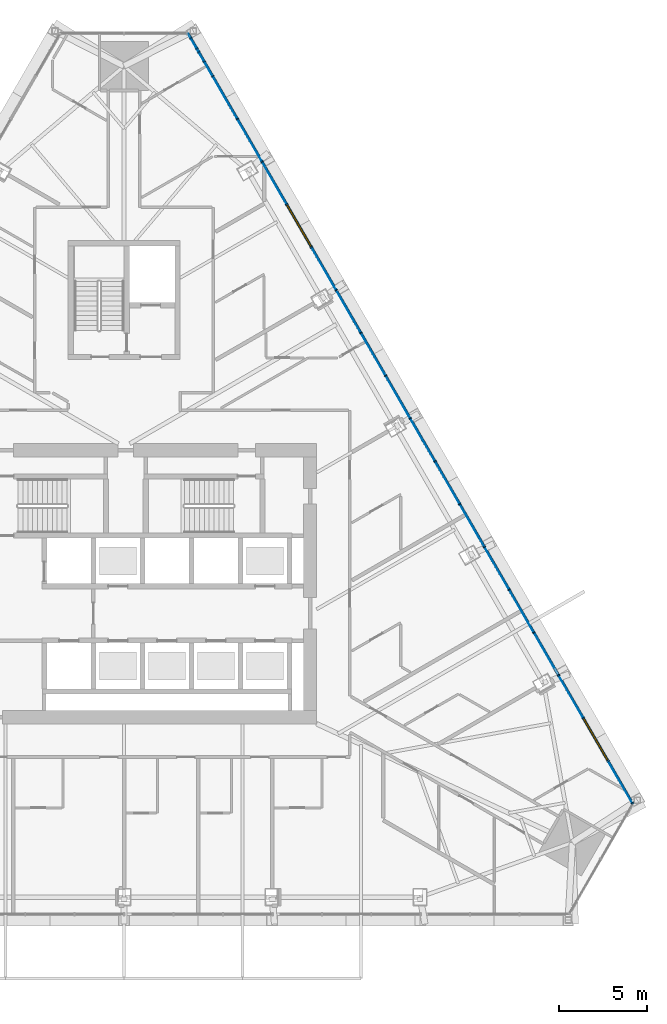
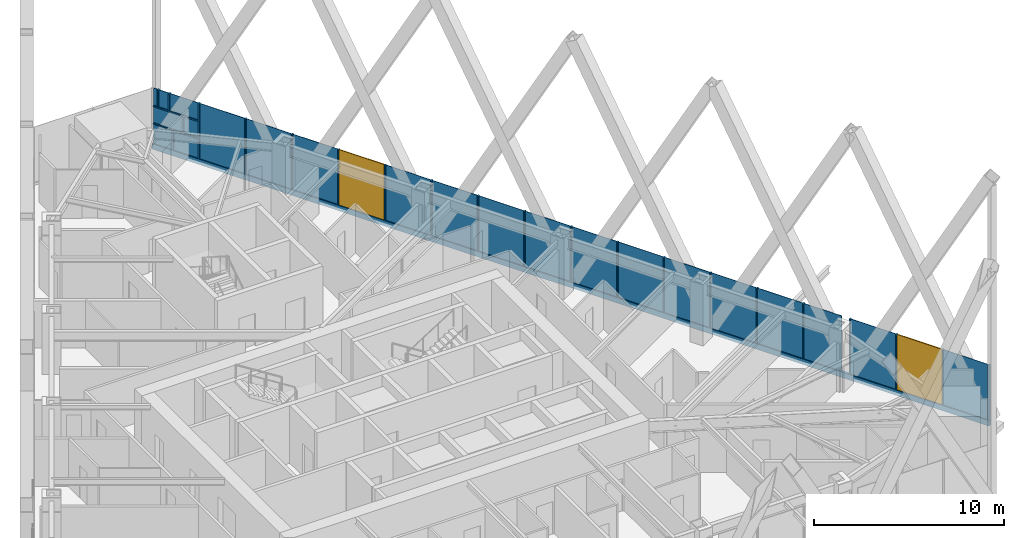
# One storey, part 8 of 19: 25 members, 22 plates, 2 windows, 2 openings, 1 element without a shape of its own.
"""IFC4 building model written with IfcOpenShell, lengths in metres."""

from ifc_helpers import new_model, si_unit, direction, frame, frame_2d, origin, origin_2d, place, context, subcontext, project, spatial, polyline, rectangle, outline, extrude, material, layer, layer_set, material_profile, profile_set, type_object, element, fill, aggregate, save


model = new_model("IFC4")

# Units and contexts
model_context = context("Model", 3, precision=1e-05, world=origin(), true_north=direction((0.0, 1.0)))
body_context = subcontext(model_context, "Body", "Model", "MODEL_VIEW")
ifc_project = project(units=[si_unit("LENGTHUNIT", "METRE"), si_unit("AREAUNIT", "SQUARE_METRE"), si_unit("VOLUMEUNIT", "CUBIC_METRE"), si_unit("PLANEANGLEUNIT", "RADIAN"), si_unit("MASSUNIT", "GRAM", prefix="KILO")], contexts=[model_context])

# Site, building, storey
site_placement = place(None, origin())
site = spatial("IfcSite", under=ifc_project, at=site_placement, CompositionType="ELEMENT")
building_placement = place(site_placement, origin())
building = spatial("IfcBuilding", under=site, at=building_placement, Name="Firuza Gate Tower and Library", CompositionType="ELEMENT")
storey_placement = place(building_placement, frame((0.0, 0.0, 218.199951171875)))
storey = spatial("IfcBuildingStorey", under=building, at=storey_placement, Name="L51", CompositionType="ELEMENT", Elevation=218.199951171875)

# Curtain wall, openings, members, plates, windows
ifc_material_1 = material(Name="Aluminium 6063-T6", Category="aluminium")
ifc_layer_1 = layer(ifc_material_1, 0.14990234375)
ifc_layer_set_1 = layer_set([ifc_layer_1], Name="Unitised curtain wall, hotel")
curtain_wall_type = type_object("IfcCurtainWallType", Name="Unitised curtain wall, hotel", PredefinedType="NOTDEFINED", material=ifc_layer_set_1)
curtain_wall_placement = place(storey_placement, origin())
curtain_wall = element("IfcCurtainWall", 1, at=curtain_wall_placement, inside=storey, type_object=curtain_wall_type, Name="CW2 L51 E face", PredefinedType="NOTDEFINED")
opening_1_placement = place(curtain_wall_placement, frame((102.621826171875, 64.91259765625, 0.150146484375), z_axis=(0.0, 0.0, 1.0), x_axis=(-0.5, 0.866025, 0.0)))
opening_1 = element("IfcOpeningElement", 2, at=opening_1_placement, cuts=curtain_wall, Name="Opening WD1-001", PredefinedType="OPENING", context=body_context, shape_type="SweptSolid", body=[
    extrude(rectangle(XDim=2.743408203125, YDim=3.550048828125, at=frame_2d((1.37158203125, 1.77490234375))), frame((0.0, 0.0849609375, 0.0), z_axis=(0.0, -1.0, 0.0), x_axis=(1.0, 0.0, 0.0)), (0.0, 0.0, 1.0), 0.169921875),
])
opening_2_placement = place(curtain_wall_placement, frame((85.681640625, 94.25390625, 0.150146484375), z_axis=(0.0, 0.0, 1.0), x_axis=(-0.5, 0.866025, 0.0)))
opening_2 = element("IfcOpeningElement", 3, at=opening_2_placement, cuts=curtain_wall, Name="Opening WD1-002", PredefinedType="OPENING", context=body_context, shape_type="SweptSolid", body=[
    extrude(rectangle(XDim=2.743408203125, YDim=3.550048828125, at=frame_2d((1.37158203125, 1.77490234375))), frame((0.0, 0.0849609375, 0.0), z_axis=(0.0, -1.0, 0.0), x_axis=(1.0, 0.0, 0.0)), (0.0, 0.0, 1.0), 0.169921875),
])
ifc_material_2 = material(Name="Aluminium 6063-T6", Category="aluminium")
ifc_material_profile_1 = material_profile(ifc_material_2, rectangle(XDim=0.14990234375, YDim=0.080078125, at=origin_2d()))
ifc_profile_set_1 = profile_set([ifc_material_profile_1], Name="Aluminium 6063-T6")
member_type_1 = type_object("IfcMemberType", Name="Curtain wall mullion 80x150", PredefinedType="MULLION", material=ifc_profile_set_1)
member_1_placement = place(storey_placement, frame((104.03369140625, 62.467529296875, 0.150146484375), z_axis=(0.0, 0.0, 1.0), x_axis=(-0.866025403784, -0.5, 0.0)))
member_1 = element("IfcMember", 4, at=member_1_placement, type_object=member_type_1, Name="Mullion", PredefinedType="MULLION", context=body_context, shape_type="SweptSolid", body=[
    extrude(rectangle(XDim=0.14990234375, YDim=0.080078125, at=origin_2d()), origin(), (0.0, 0.0, 1.0), 3.5498046875),
])
member_2_placement = place(storey_placement, frame((102.641845703125, 64.8779296875, 0.150146484375), z_axis=(0.0, 0.0, 1.0), x_axis=(-0.866025403784, -0.5, 0.0)))
member_2 = element("IfcMember", 5, at=member_2_placement, type_object=member_type_1, Name="Mullion", PredefinedType="MULLION", context=body_context, shape_type="SweptSolid", body=[
    extrude(rectangle(XDim=0.14990234375, YDim=0.080078125, at=origin_2d()), origin(), (0.0, 0.0, 1.0), 3.5498046875),
])
member_3_placement = place(storey_placement, frame((101.230224609375, 67.322998046875, 0.150146484375), z_axis=(0.0, 0.0, 1.0), x_axis=(-0.866025403784, -0.5, 0.0)))
member_3 = element("IfcMember", 6, at=member_3_placement, type_object=member_type_1, Name="Mullion", PredefinedType="MULLION", context=body_context, shape_type="SweptSolid", body=[
    extrude(rectangle(XDim=0.14990234375, YDim=0.080078125, at=origin_2d()), origin(), (0.0, 0.0, 1.0), 3.5498046875),
])
member_4_placement = place(storey_placement, frame((99.818603515625, 69.76806640625, 0.150146484375), z_axis=(0.0, 0.0, 1.0), x_axis=(-0.866025403784, -0.5, 0.0)))
member_4 = element("IfcMember", 7, at=member_4_placement, type_object=member_type_1, Name="Mullion", PredefinedType="MULLION", context=body_context, shape_type="SweptSolid", body=[
    extrude(rectangle(XDim=0.14990234375, YDim=0.080078125, at=origin_2d()), origin(), (0.0, 0.0, 1.0), 3.5498046875),
])
member_5_placement = place(storey_placement, frame((98.406982421875, 72.213134765625, 0.150146484375), z_axis=(0.0, 0.0, 1.0), x_axis=(-0.866025403784, -0.5, 0.0)))
member_5 = element("IfcMember", 8, at=member_5_placement, type_object=member_type_1, Name="Mullion", PredefinedType="MULLION", context=body_context, shape_type="SweptSolid", body=[
    extrude(rectangle(XDim=0.14990234375, YDim=0.080078125, at=origin_2d()), origin(), (0.0, 0.0, 1.0), 3.5498046875),
])
member_6_placement = place(storey_placement, frame((96.9951171875, 74.658447265625, 0.150146484375), z_axis=(0.0, 0.0, 1.0), x_axis=(-0.866025403784, -0.5, 0.0)))
member_6 = element("IfcMember", 9, at=member_6_placement, type_object=member_type_1, Name="Mullion", PredefinedType="MULLION", context=body_context, shape_type="SweptSolid", body=[
    extrude(rectangle(XDim=0.14990234375, YDim=0.080078125, at=origin_2d()), origin(), (0.0, 0.0, 1.0), 3.5498046875),
])
member_7_placement = place(storey_placement, frame((95.58349609375, 77.103515625, 0.150146484375), z_axis=(0.0, 0.0, 1.0), x_axis=(-0.866025403784, -0.5, 0.0)))
member_7 = element("IfcMember", 10, at=member_7_placement, type_object=member_type_1, Name="Mullion", PredefinedType="MULLION", context=body_context, shape_type="SweptSolid", body=[
    extrude(rectangle(XDim=0.14990234375, YDim=0.080078125, at=origin_2d()), origin(), (0.0, 0.0, 1.0), 3.5498046875),
])
member_8_placement = place(storey_placement, frame((94.171875, 79.548583984375, 0.150146484375), z_axis=(0.0, 0.0, 1.0), x_axis=(-0.866025403784, -0.5, 0.0)))
member_8 = element("IfcMember", 11, at=member_8_placement, type_object=member_type_1, Name="Mullion", PredefinedType="MULLION", context=body_context, shape_type="SweptSolid", body=[
    extrude(rectangle(XDim=0.14990234375, YDim=0.080078125, at=origin_2d()), origin(), (0.0, 0.0, 1.0), 3.5498046875),
])
member_9_placement = place(storey_placement, frame((92.76025390625, 81.99365234375, 0.150146484375), z_axis=(0.0, 0.0, 1.0), x_axis=(-0.866025403784, -0.5, 0.0)))
member_9 = element("IfcMember", 12, at=member_9_placement, type_object=member_type_1, Name="Mullion", PredefinedType="MULLION", context=body_context, shape_type="SweptSolid", body=[
    extrude(rectangle(XDim=0.14990234375, YDim=0.080078125, at=origin_2d()), origin(), (0.0, 0.0, 1.0), 3.5498046875),
])
member_10_placement = place(storey_placement, frame((91.348388671875, 84.438720703125, 0.150146484375), z_axis=(0.0, 0.0, 1.0), x_axis=(-0.866025403784, -0.5, 0.0)))
member_10 = element("IfcMember", 13, at=member_10_placement, type_object=member_type_1, Name="Mullion", PredefinedType="MULLION", context=body_context, shape_type="SweptSolid", body=[
    extrude(rectangle(XDim=0.14990234375, YDim=0.080078125, at=origin_2d()), origin(), (0.0, 0.0, 1.0), 3.5498046875),
])
member_11_placement = place(storey_placement, frame((89.936767578125, 86.8837890625, 0.150146484375), z_axis=(0.0, 0.0, 1.0), x_axis=(-0.866025403784, -0.5, 0.0)))
member_11 = element("IfcMember", 14, at=member_11_placement, type_object=member_type_1, Name="Mullion", PredefinedType="MULLION", context=body_context, shape_type="SweptSolid", body=[
    extrude(rectangle(XDim=0.14990234375, YDim=0.080078125, at=origin_2d()), origin(), (0.0, 0.0, 1.0), 3.5498046875),
])
member_12_placement = place(storey_placement, frame((88.525146484375, 89.3291015625, 0.150146484375), z_axis=(0.0, 0.0, 1.0), x_axis=(-0.866025403784, -0.5, 0.0)))
member_12 = element("IfcMember", 15, at=member_12_placement, type_object=member_type_1, Name="Mullion", PredefinedType="MULLION", context=body_context, shape_type="SweptSolid", body=[
    extrude(rectangle(XDim=0.14990234375, YDim=0.080078125, at=origin_2d()), origin(), (0.0, 0.0, 1.0), 3.5498046875),
])
member_13_placement = place(storey_placement, frame((87.11328125, 91.774169921875, 0.150146484375), z_axis=(0.0, 0.0, 1.0), x_axis=(-0.866025403784, -0.5, 0.0)))
member_13 = element("IfcMember", 16, at=member_13_placement, type_object=member_type_1, Name="Mullion", PredefinedType="MULLION", context=body_context, shape_type="SweptSolid", body=[
    extrude(rectangle(XDim=0.14990234375, YDim=0.080078125, at=origin_2d()), origin(), (0.0, 0.0, 1.0), 3.5498046875),
])
member_14_placement = place(storey_placement, frame((85.70166015625, 94.21923828125, 0.150146484375), z_axis=(0.0, 0.0, 1.0), x_axis=(-0.866025403784, -0.5, 0.0)))
member_14 = element("IfcMember", 17, at=member_14_placement, type_object=member_type_1, Name="Mullion", PredefinedType="MULLION", context=body_context, shape_type="SweptSolid", body=[
    extrude(rectangle(XDim=0.14990234375, YDim=0.080078125, at=origin_2d()), origin(), (0.0, 0.0, 1.0), 3.5498046875),
])
member_15_placement = place(storey_placement, frame((84.2900390625, 96.664306640625, 0.150146484375), z_axis=(0.0, 0.0, 1.0), x_axis=(-0.866025403784, -0.5, 0.0)))
member_15 = element("IfcMember", 18, at=member_15_placement, type_object=member_type_1, Name="Mullion", PredefinedType="MULLION", context=body_context, shape_type="SweptSolid", body=[
    extrude(rectangle(XDim=0.14990234375, YDim=0.080078125, at=origin_2d()), origin(), (0.0, 0.0, 1.0), 3.5498046875),
])
member_16_placement = place(storey_placement, frame((82.87841796875, 99.109375, 0.150146484375), z_axis=(0.0, 0.0, 1.0), x_axis=(-0.866025403784, -0.5, 0.0)))
member_16 = element("IfcMember", 19, at=member_16_placement, type_object=member_type_1, Name="Mullion", PredefinedType="MULLION", context=body_context, shape_type="SweptSolid", body=[
    extrude(rectangle(XDim=0.14990234375, YDim=0.080078125, at=origin_2d()), origin(), (0.0, 0.0, 1.0), 3.5498046875),
])
member_17_placement = place(storey_placement, frame((81.466552734375, 101.554443359375, 0.150146484375), z_axis=(0.0, 0.0, 1.0), x_axis=(-0.866025403784, -0.5, 0.0)))
member_17 = element("IfcMember", 20, at=member_17_placement, type_object=member_type_1, Name="Mullion", PredefinedType="MULLION", context=body_context, shape_type="SweptSolid", body=[
    extrude(rectangle(XDim=0.14990234375, YDim=0.080078125, at=origin_2d()), origin(), (0.0, 0.0, 1.0), 3.5498046875),
])
member_18_placement = place(storey_placement, frame((80.054931640625, 103.999755859375, 0.150146484375), z_axis=(0.0, 0.0, 1.0), x_axis=(-0.866025403784, -0.5, 0.0)))
member_18 = element("IfcMember", 21, at=member_18_placement, type_object=member_type_1, Name="Mullion", PredefinedType="MULLION", context=body_context, shape_type="SweptSolid", body=[
    extrude(rectangle(XDim=0.14990234375, YDim=0.080078125, at=origin_2d()), origin(), (0.0, 0.0, 1.0), 3.5498046875),
])
member_19_placement = place(storey_placement, frame((79.2685546875, 105.361572265625, 0.150146484375), z_axis=(0.0, 0.0, 1.0), x_axis=(-0.866025403784, -0.5, 0.0)))
member_19 = element("IfcMember", 22, at=member_19_placement, type_object=member_type_1, Name="Mullion", PredefinedType="MULLION", context=body_context, shape_type="SweptSolid", body=[
    extrude(rectangle(XDim=0.14990234375, YDim=0.080078125, at=origin_2d()), origin(), (0.0, 0.0, 1.0), 1.260009765625),
])
member_20_placement = place(storey_placement, frame((79.573486328125, 104.83349609375, 1.489990234375), z_axis=(0.0, 0.0, 1.0), x_axis=(-0.866025403784, -0.5, 0.0)))
member_20 = element("IfcMember", 23, at=member_20_placement, type_object=member_type_1, Name="Mullion", PredefinedType="MULLION", context=body_context, shape_type="SweptSolid", body=[
    extrude(rectangle(XDim=0.14990234375, YDim=0.080078125, at=origin_2d()), origin(), (0.0, 0.0, 1.0), 1.045166015625),
])
member_21_placement = place(storey_placement, frame((79.152099609375, 105.5634765625, 2.614990234375), z_axis=(0.0, 0.0, 1.0), x_axis=(-0.866025403784, -0.5, 0.0)))
member_21 = element("IfcMember", 24, at=member_21_placement, type_object=member_type_1, Name="Mullion", PredefinedType="MULLION", context=body_context, shape_type="SweptSolid", body=[
    extrude(rectangle(XDim=0.14990234375, YDim=0.080078125, at=origin_2d()), origin(), (0.0, 0.0, 1.0), 1.0849609375),
])
member_22_placement = place(storey_placement, frame((78.808837890625, 106.157958984375, 2.614990234375), z_axis=(0.0, 0.0, 1.0), x_axis=(-0.866025403784, -0.5, 0.0)))
member_22 = element("IfcMember", 25, at=member_22_placement, type_object=member_type_1, Name="Mullion", PredefinedType="MULLION", context=body_context, shape_type="SweptSolid", body=[
    extrude(rectangle(XDim=0.14990234375, YDim=0.080078125, at=origin_2d()), origin(), (0.0, 0.0, 1.0), 1.0849609375),
])
ifc_material_3 = material(Name="Aluminium 6063-T6", Category="aluminium")
ifc_material_profile_2 = material_profile(ifc_material_3, rectangle(XDim=0.14990234375, YDim=0.35009765625, at=origin_2d()))
ifc_profile_set_2 = profile_set([ifc_material_profile_2], Name="Aluminium 6063-T6")
member_type_2 = type_object("IfcMemberType", Name="Curtain wall transom 350x150", PredefinedType="USERDEFINED", material=ifc_profile_set_2)
member_23_placement = place(storey_placement, frame((104.0537109375, 62.432861328125, -0.02490234375), z_axis=(-0.500001206715, 0.866024707086, 0.0), x_axis=(-0.866024707086, -0.500001206715, 0.0)))
member_23 = element("IfcMember", 26, at=member_23_placement, type_object=member_type_2, Name="Transom", ObjectType="TRANSOM", PredefinedType="USERDEFINED", context=body_context, shape_type="SweptSolid", body=[
    extrude(rectangle(XDim=0.14990234375, YDim=0.35009765625, at=origin_2d()), origin(), (0.0, 0.0, 1.0), 50.820556640625),
])
ifc_material_4 = material(Name="Aluminium 6063-T6", Category="aluminium")
ifc_material_profile_3 = material_profile(ifc_material_4, rectangle(XDim=0.14990234375, YDim=0.080078125, at=origin_2d()))
ifc_profile_set_3 = profile_set([ifc_material_profile_3], Name="Aluminium 6063-T6")
member_type_3 = type_object("IfcMemberType", Name="Curtain wall transom 80x150", PredefinedType="USERDEFINED", material=ifc_profile_set_3)
member_24_placement = place(storey_placement, frame((80.034912109375, 104.0341796875, 1.449951171875), z_axis=(-0.499948418923, 0.866055182085, 0.0), x_axis=(-0.866055182085, -0.499948418923, 0.0)))
member_24 = element("IfcMember", 27, at=member_24_placement, type_object=member_type_3, Name="Transom", ObjectType="TRANSOM", PredefinedType="USERDEFINED", context=body_context, shape_type="SweptSolid", body=[
    extrude(rectangle(XDim=0.14990234375, YDim=0.080078125, at=origin_2d()), origin(), (0.0, 0.0, 1.0), 2.743408203125),
])
member_25_placement = place(storey_placement, frame((80.034912109375, 104.0341796875, 2.574951171875), z_axis=(-0.499948418923, 0.866055182085, 0.0), x_axis=(-0.866055182085, -0.499948418923, 0.0)))
member_25 = element("IfcMember", 28, at=member_25_placement, type_object=member_type_3, Name="Transom", ObjectType="TRANSOM", PredefinedType="USERDEFINED", context=body_context, shape_type="SweptSolid", body=[
    extrude(rectangle(XDim=0.14990234375, YDim=0.080078125, at=origin_2d()), origin(), (0.0, 0.0, 1.0), 2.743408203125),
])
ifc_material_5 = material(Name="Fritted glass", Category="glass")
ifc_layer_2 = layer(ifc_material_5, 0.030029296875)
ifc_layer_set_2 = layer_set([ifc_layer_2], Name="Fritted glass unit, hotel")
plate_type_1 = type_object("IfcPlateType", Name="Fritted glass unit, hotel", PredefinedType="CURTAIN_PANEL", material=ifc_layer_set_2)
plate_1_placement = place(storey_placement, frame((98.39990234375, 72.25537109375, 0.150146484375), z_axis=(0.86599439933, 0.500053697445, 0.0), x_axis=(-0.500053697445, 0.86599439933, 0.0)))
plate_1 = element("IfcPlate", 29, at=plate_1_placement, type_object=plate_type_1, Name="Glass unit", PredefinedType="CURTAIN_PANEL", context=body_context, shape_type="SweptSolid", body=[
    extrude(outline(polyline([(0.0, 0.0), (2.7433577211492617, 0.0), (2.7433577211492617, 3.5498046875), (0.0, 3.5498046875), (0.0, 0.0)])), origin(), (0.0, 0.0, -1.0), 0.030029296875),
])
plate_2_placement = place(storey_placement, frame((94.164794921875, 79.5908203125, 0.150146484375), z_axis=(0.866032936488, 0.499986952748, 0.0), x_axis=(-0.499986952748, 0.866032936488, 0.0)))
plate_2 = element("IfcPlate", 30, at=plate_2_placement, type_object=plate_type_1, Name="Glass unit", PredefinedType="CURTAIN_PANEL", context=body_context, shape_type="SweptSolid", body=[
    extrude(outline(polyline([(0.0, 0.0), (2.7432356458743987, 0.0), (2.7432356458743987, 3.5498046875), (0.0, 3.5498046875), (0.0, 0.0)])), origin(), (0.0, 0.0, -1.0), 0.030029296875),
])
plate_3_placement = place(storey_placement, frame((89.9296875, 86.926025390625, 0.150146484375), z_axis=(0.866032936488, 0.499986952748, 0.0), x_axis=(-0.499986952748, 0.866032936488, 0.0)))
plate_3 = element("IfcPlate", 31, at=plate_3_placement, type_object=plate_type_1, Name="Glass unit", PredefinedType="CURTAIN_PANEL", context=body_context, shape_type="SweptSolid", body=[
    extrude(outline(polyline([(0.0, 0.0), (2.7432356458743987, 0.0), (2.7432356458743987, 3.5498046875), (0.0, 3.5498046875), (0.0, 0.0)])), origin(), (0.0, 0.0, -1.0), 0.030029296875),
])
plate_4_placement = place(storey_placement, frame((81.459716796875, 101.5966796875, 0.150146484375), z_axis=(0.86599439933, 0.500053697445, 0.0), x_axis=(-0.500053697445, 0.86599439933, 0.0)))
plate_4 = element("IfcPlate", 32, at=plate_4_placement, type_object=plate_type_1, Name="Glass unit", PredefinedType="CURTAIN_PANEL", context=body_context, shape_type="SweptSolid", body=[
    extrude(outline(polyline([(0.0, 0.0), (2.7433577211492617, 0.0), (2.7433577211492617, 3.5498046875), (0.0, 3.5498046875), (0.0, 0.0)])), origin(), (0.0, 0.0, -1.0), 0.030029296875),
])
plate_5_placement = place(storey_placement, frame((80.048095703125, 104.041748046875, 0.150146484375), z_axis=(0.865959514265, 0.500114106633, 0.0), x_axis=(-0.500114106633, 0.865959514265, 0.0)))
plate_5 = element("IfcPlate", 33, at=plate_5_placement, type_object=plate_type_1, Name="Glass unit", PredefinedType="CURTAIN_PANEL", context=body_context, shape_type="SweptSolid", body=[
    extrude(outline(polyline([(0.0, 0.0), (1.4928233804000803, 0.0), (1.4928233804000803, 1.260009765625), (0.0, 1.260009765625), (0.0, 0.0)])), origin(), (0.0, 0.0, -1.0), 0.030029296875),
])
plate_6_placement = place(storey_placement, frame((80.048095703125, 104.041748046875, 1.489990234375), z_axis=(0.865936922628, 0.500153222552, 0.0), x_axis=(-0.500153222552, 0.865936922628, 0.0)))
plate_6 = element("IfcPlate", 34, at=plate_6_placement, type_object=plate_type_1, Name="Glass unit", PredefinedType="CURTAIN_PANEL", context=body_context, shape_type="SweptSolid", body=[
    extrude(outline(polyline([(0.0, 0.0), (0.883030180973678, 0.0), (0.883030180973678, 1.045166015625), (0.0, 1.045166015625), (0.0, 0.0)])), origin(), (0.0, 0.0, -1.0), 0.030029296875),
])
plate_7_placement = place(storey_placement, frame((79.14501953125, 105.605712890625, 2.614990234375), z_axis=(0.866004557827, 0.500036104519, 0.0), x_axis=(-0.500036104519, 0.866004557827, 0.0)))
plate_7 = element("IfcPlate", 35, at=plate_7_placement, type_object=plate_type_1, Name="Glass unit", PredefinedType="CURTAIN_PANEL", context=body_context, shape_type="SweptSolid", body=[
    extrude(outline(polyline([(0.0, 0.0), (0.6064015248288281, 0.0), (0.6064015248288281, 1.0849609375), (0.0, 1.0849609375), (0.0, 0.0)])), origin(), (0.0, 0.0, -1.0), 0.030029296875),
])
ifc_material_6 = material(Name="Glazed ceramic tile")
ifc_layer_3 = layer(ifc_material_6, 0.030029296875)
ifc_layer_set_3 = layer_set([ifc_layer_3], Name="Opaque ceramic panel, hotel")
plate_type_2 = type_object("IfcPlateType", Name="Opaque ceramic panel, hotel", PredefinedType="CURTAIN_PANEL", material=ifc_layer_set_3)
plate_8_placement = place(storey_placement, frame((104.046630859375, 62.474853515625, 0.150146484375), z_axis=(0.866016649877, 0.500015161905, 0.0), x_axis=(-0.500015161905, 0.866016649877, 0.0)))
plate_8 = element("IfcPlate", 36, at=plate_8_placement, type_object=plate_type_2, Name="Opaque ceramic panel", PredefinedType="CURTAIN_PANEL", context=body_context, shape_type="SweptSolid", body=[
    extrude(outline(polyline([(0.0, 0.0), (2.7435691482793962, 0.0), (2.7435691482793962, 3.5498046875), (0.0, 3.5498046875), (0.0, 0.0)])), origin(), (0.0, 0.0, -1.0), 0.030029296875),
])
plate_9_placement = place(storey_placement, frame((101.22314453125, 67.365234375, 0.150146484375), z_axis=(0.866032936488, 0.499986952748, 0.0), x_axis=(-0.499986952748, 0.866032936488, 0.0)))
plate_9 = element("IfcPlate", 37, at=plate_9_placement, type_object=plate_type_2, Name="Opaque ceramic panel", PredefinedType="CURTAIN_PANEL", context=body_context, shape_type="SweptSolid", body=[
    extrude(outline(polyline([(0.0, 0.0), (2.7432356458743987, 0.0), (2.7432356458743987, 3.5498046875), (0.0, 3.5498046875), (0.0, 0.0)])), origin(), (0.0, 0.0, -1.0), 0.030029296875),
])
plate_10_placement = place(storey_placement, frame((99.573486328125, 70.222412109375, 0.150146484375), z_axis=(0.866054693437, 0.499949265402, 0.0), x_axis=(-0.499949265402, 0.866054693437, 0.0)))
plate_10 = element("IfcPlate", 38, at=plate_10_placement, type_object=plate_type_2, Name="Opaque ceramic panel", PredefinedType="CURTAIN_PANEL", context=body_context, shape_type="SweptSolid", body=[
    extrude(outline(polyline([(0.0, 0.0), (2.2673199068784404, 0.0), (2.2673199068784404, 3.5498046875), (0.0, 3.5498046875), (0.0, 0.0)])), origin(), (0.0, 0.0, -1.0), 0.030029296875),
])
plate_11_placement = place(storey_placement, frame((96.98828125, 74.700439453125, 0.150146484375), z_axis=(0.866016649877, 0.500015161905, 0.0), x_axis=(-0.500015161905, 0.866016649877, 0.0)))
plate_11 = element("IfcPlate", 39, at=plate_11_placement, type_object=plate_type_2, Name="Opaque ceramic panel", PredefinedType="CURTAIN_PANEL", context=body_context, shape_type="SweptSolid", body=[
    extrude(outline(polyline([(0.0, 0.0), (2.7435691482793962, 0.0), (2.7435691482793962, 3.5498046875), (0.0, 3.5498046875), (0.0, 0.0)])), origin(), (0.0, 0.0, -1.0), 0.030029296875),
])
plate_12_placement = place(storey_placement, frame((95.576416015625, 77.1455078125, 0.150146484375), z_axis=(0.866055182085, 0.499948418923, 0.0), x_axis=(-0.499948418923, 0.866055182085, 0.0)))
plate_12 = element("IfcPlate", 40, at=plate_12_placement, type_object=plate_type_2, Name="Opaque ceramic panel", PredefinedType="CURTAIN_PANEL", context=body_context, shape_type="SweptSolid", body=[
    extrude(outline(polyline([(0.0, 0.0), (2.7434470824124153, 0.0), (2.7434470824124153, 3.5498046875), (0.0, 3.5498046875), (0.0, 0.0)])), origin(), (0.0, 0.0, -1.0), 0.030029296875),
])
plate_13_placement = place(storey_placement, frame((92.753173828125, 82.035888671875, 0.150146484375), z_axis=(0.86599439933, 0.500053697445, 0.0), x_axis=(-0.500053697445, 0.86599439933, 0.0)))
plate_13 = element("IfcPlate", 41, at=plate_13_placement, type_object=plate_type_2, Name="Opaque ceramic panel", PredefinedType="CURTAIN_PANEL", context=body_context, shape_type="SweptSolid", body=[
    extrude(outline(polyline([(0.0, 0.0), (2.7433577211492617, 0.0), (2.7433577211492617, 3.5498046875), (0.0, 3.5498046875), (0.0, 0.0)])), origin(), (0.0, 0.0, -1.0), 0.030029296875),
])
plate_14_placement = place(storey_placement, frame((91.341552734375, 84.48095703125, 0.150146484375), z_axis=(0.86599439933, 0.500053697445, 0.0), x_axis=(-0.500053697445, 0.86599439933, 0.0)))
plate_14 = element("IfcPlate", 42, at=plate_14_placement, type_object=plate_type_2, Name="Opaque ceramic panel", PredefinedType="CURTAIN_PANEL", context=body_context, shape_type="SweptSolid", body=[
    extrude(outline(polyline([(0.0, 0.0), (2.7433577211492617, 0.0), (2.7433577211492617, 3.5498046875), (0.0, 3.5498046875), (0.0, 0.0)])), origin(), (0.0, 0.0, -1.0), 0.030029296875),
])
plate_15_placement = place(storey_placement, frame((88.51806640625, 89.37109375, 0.150146484375), z_axis=(0.866055182085, 0.499948418923, 0.0), x_axis=(-0.499948418923, 0.866055182085, 0.0)))
plate_15 = element("IfcPlate", 43, at=plate_15_placement, type_object=plate_type_2, Name="Opaque ceramic panel", PredefinedType="CURTAIN_PANEL", context=body_context, shape_type="SweptSolid", body=[
    extrude(outline(polyline([(0.0, 0.0), (2.7434470824124153, 0.0), (2.7434470824124153, 3.5498046875), (0.0, 3.5498046875), (0.0, 0.0)])), origin(), (0.0, 0.0, -1.0), 0.030029296875),
])
plate_16_placement = place(storey_placement, frame((87.1064453125, 91.816162109375, 0.150146484375), z_axis=(0.866016649877, 0.500015161905, 0.0), x_axis=(-0.500015161905, 0.866016649877, 0.0)))
plate_16 = element("IfcPlate", 44, at=plate_16_placement, type_object=plate_type_2, Name="Opaque ceramic panel", PredefinedType="CURTAIN_PANEL", context=body_context, shape_type="SweptSolid", body=[
    extrude(outline(polyline([(0.0, 0.0), (2.7435691482793962, 0.0), (2.7435691482793962, 3.5498046875), (0.0, 3.5498046875), (0.0, 0.0)])), origin(), (0.0, 0.0, -1.0), 0.030029296875),
])
plate_17_placement = place(storey_placement, frame((84.282958984375, 96.70654296875, 0.150146484375), z_axis=(0.866032936488, 0.499986952748, 0.0), x_axis=(-0.499986952748, 0.866032936488, 0.0)))
plate_17 = element("IfcPlate", 45, at=plate_17_placement, type_object=plate_type_2, Name="Opaque ceramic panel", PredefinedType="CURTAIN_PANEL", context=body_context, shape_type="SweptSolid", body=[
    extrude(outline(polyline([(0.0, 0.0), (2.7432356458743987, 0.0), (2.7432356458743987, 3.5498046875), (0.0, 3.5498046875), (0.0, 0.0)])), origin(), (0.0, 0.0, -1.0), 0.030029296875),
])
plate_18_placement = place(storey_placement, frame((82.871337890625, 99.151611328125, 0.150146484375), z_axis=(0.866032936488, 0.499986952748, 0.0), x_axis=(-0.499986952748, 0.866032936488, 0.0)))
plate_18 = element("IfcPlate", 46, at=plate_18_placement, type_object=plate_type_2, Name="Opaque ceramic panel", PredefinedType="CURTAIN_PANEL", context=body_context, shape_type="SweptSolid", body=[
    extrude(outline(polyline([(0.0, 0.0), (2.7432356458743987, 0.0), (2.7432356458743987, 3.5498046875), (0.0, 3.5498046875), (0.0, 0.0)])), origin(), (0.0, 0.0, -1.0), 0.030029296875),
])
plate_19_placement = place(storey_placement, frame((79.26171875, 105.40380859375, 0.150146484375), z_axis=(0.865949381454, 0.500131651427, 0.0), x_axis=(-0.500131651427, 0.865949381454, 0.0)))
plate_19 = element("IfcPlate", 47, at=plate_19_placement, type_object=plate_type_2, Name="Opaque ceramic panel", PredefinedType="CURTAIN_PANEL", context=body_context, shape_type="SweptSolid", body=[
    extrude(outline(polyline([(0.0, 0.0), (1.1705902177538479, 0.0), (1.1705902177538479, 1.260009765625), (0.0, 1.260009765625), (0.0, 0.0)])), origin(), (0.0, 0.0, -1.0), 0.030029296875),
])
plate_20_placement = place(storey_placement, frame((79.56640625, 104.875732421875, 1.489990234375), z_axis=(0.866023441189, 0.500003399299, 0.0), x_axis=(-0.500003399299, 0.866023441189, 0.0)))
plate_20 = element("IfcPlate", 48, at=plate_20_placement, type_object=plate_type_2, Name="Opaque ceramic panel", PredefinedType="CURTAIN_PANEL", context=body_context, shape_type="SweptSolid", body=[
    extrude(outline(polyline([(0.0, 0.0), (1.780261334217506, 0.0), (1.780261334217506, 1.045166015625), (0.0, 1.045166015625), (0.0, 0.0)])), origin(), (0.0, 0.0, -1.0), 0.030029296875),
])
plate_21_placement = place(storey_placement, frame((80.048095703125, 104.041748046875, 2.614990234375), z_axis=(0.865997125063, 0.500048976984, 0.0), x_axis=(-0.500048976984, 0.865997125063, 0.0)))
plate_21 = element("IfcPlate", 49, at=plate_21_placement, type_object=plate_type_2, Name="Opaque ceramic panel", PredefinedType="CURTAIN_PANEL", context=body_context, shape_type="SweptSolid", body=[
    extrude(outline(polyline([(0.0, 0.0), (1.7259051594906447, 0.0), (1.7259051594906447, 1.0849609375000002), (0.0, 1.0849609375000002), (0.0, 0.0)])), origin(), (0.0, 0.0, -1.0), 0.030029296875),
])
plate_22_placement = place(storey_placement, frame((78.802001953125, 106.199951171875, 2.614990234375), z_axis=(0.865780878536, 0.500423291185, 0.0), x_axis=(-0.500423291185, 0.865780878536, 0.0)))
plate_22 = element("IfcPlate", 50, at=plate_22_placement, type_object=plate_type_2, Name="Opaque ceramic panel", PredefinedType="CURTAIN_PANEL", context=body_context, shape_type="SweptSolid", body=[
    extrude(outline(polyline([(0.0, 0.0), (0.2512521381192305, 0.0), (0.2512521381192305, 1.0849609375), (0.0, 1.0849609375), (0.0, 0.0)])), origin(), (0.0, 0.0, -1.0), 0.030029296875),
])
aggregate(curtain_wall, [member_1, member_2, member_3, member_4, member_5, member_6, member_7, member_8, member_9, member_10, member_11, member_12, member_13, member_14, member_15, member_16, member_17, member_18, member_23, plate_8, plate_9, plate_10, plate_1, plate_11, plate_12, plate_2, plate_13, plate_14, plate_3, plate_15, plate_16, plate_17, plate_18, plate_4, plate_5, plate_19, plate_6, plate_20, plate_21, plate_7, plate_22, member_19, member_20, member_21, member_22, member_24, member_25])
ifc_material_7 = material(Name="Aluminium 6063-T6 and glass", Category="aluminium")
ifc_layer_4 = layer(ifc_material_7, 0.030029296875)
ifc_layer_set_4 = layer_set([ifc_layer_4], Name="Operable glazed unit")
window_type = type_object("IfcWindowType", Name="Operable glazed unit", PartitioningType="SINGLE_PANEL", PredefinedType="WINDOW", material=ifc_layer_set_4)
window_1_placement = place(opening_1_placement, origin())
window_1 = element("IfcWindow", 51, at=window_1_placement, inside=storey, type_object=window_type, Name="Operable glazed unit", OverallHeight=3.550048828125, OverallWidth=2.743408203125, PartitioningType="SINGLE_PANEL", PredefinedType="WINDOW", context=body_context, shape_type="SweptSolid", body=[
    extrude(rectangle(XDim=2.743408203125, YDim=3.550048828125, at=frame_2d((1.37158203125, 1.77490234375))), frame((0.0, 0.030029296875, 0.0), z_axis=(0.0, -1.0, 0.0), x_axis=(1.0, 0.0, 0.0)), (0.0, 0.0, 1.0), 0.06005859375),
])
fill(opening_1, window_1)
window_2_placement = place(opening_2_placement, origin())
window_2 = element("IfcWindow", 52, at=window_2_placement, inside=storey, type_object=window_type, Name="Operable glazed unit", OverallHeight=3.550048828125, OverallWidth=2.743408203125, PartitioningType="SINGLE_PANEL", PredefinedType="WINDOW", context=body_context, shape_type="SweptSolid", body=[
    extrude(rectangle(XDim=2.743408203125, YDim=3.550048828125, at=frame_2d((1.37158203125, 1.77490234375))), frame((0.0, 0.030029296875, 0.0), z_axis=(0.0, -1.0, 0.0), x_axis=(1.0, 0.0, 0.0)), (0.0, 0.0, 1.0), 0.06005859375),
])
fill(opening_2, window_2)

save(model, "model.ifc")
